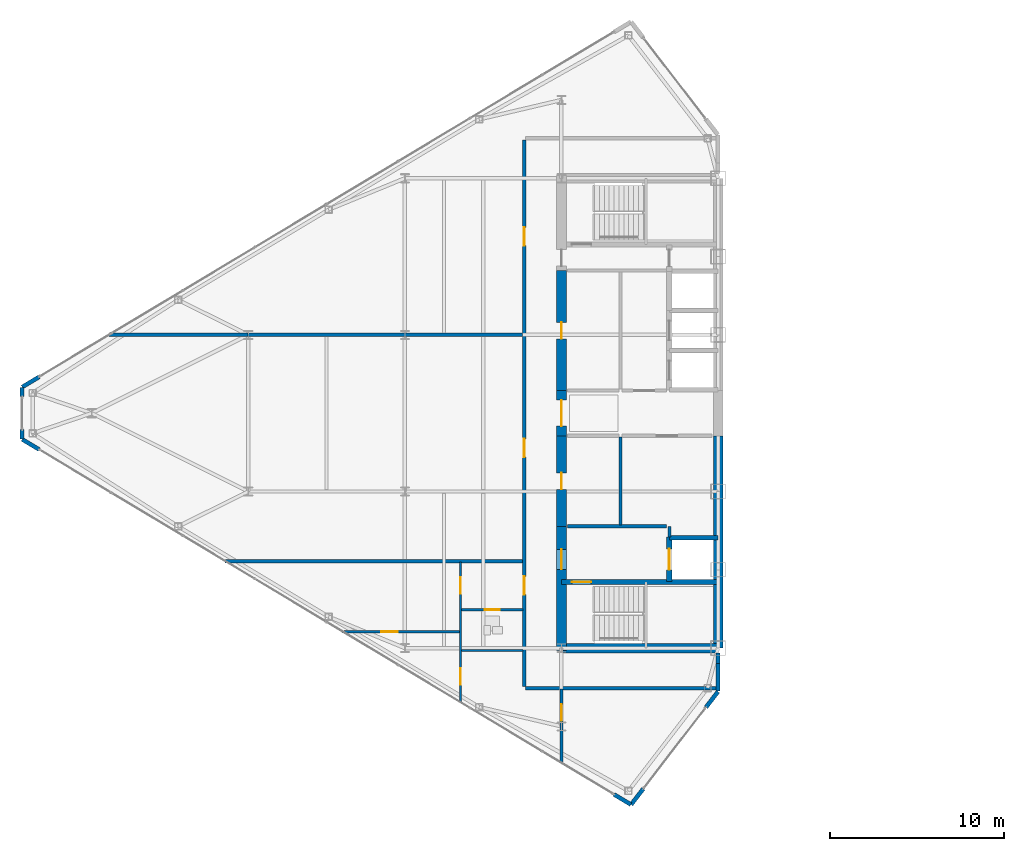
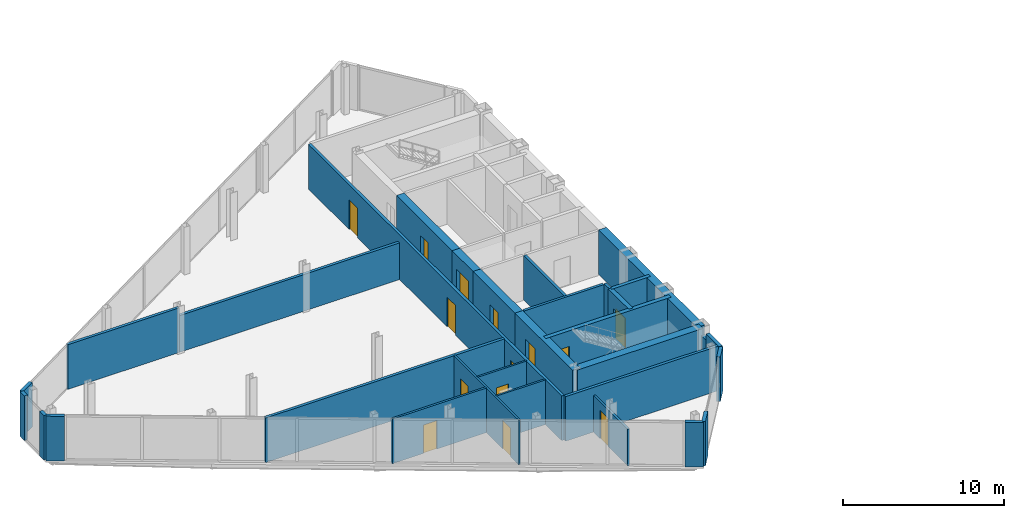
# One storey, part 19 of 25: 31 walls, 14 doors, 14 openings.
"""IFC4 building model written with IfcOpenShell, lengths in metres."""

from ifc_helpers import new_model, si_unit, direction, frame, frame_2d, origin, place, context, subcontext, project, spatial, rectangle, extrude, source, transform, mapped, material, layer, layer_set, type_object, type_shapes, element, fill, save


model = new_model("IFC4")

# Units and contexts
model_context = context("Model", 3, precision=1e-05, world=origin(), true_north=direction((0.0, 1.0)))
body_context = subcontext(model_context, "Body", "Model", "MODEL_VIEW")
ifc_project = project(units=[si_unit("LENGTHUNIT", "METRE"), si_unit("AREAUNIT", "SQUARE_METRE"), si_unit("VOLUMEUNIT", "CUBIC_METRE"), si_unit("PLANEANGLEUNIT", "RADIAN"), si_unit("MASSUNIT", "GRAM", prefix="KILO")], contexts=[model_context])

# Site, building, storey
site_placement = place(None, origin())
site = spatial("IfcSite", under=ifc_project, at=site_placement, CompositionType="ELEMENT")
building_placement = place(site_placement, origin())
building = spatial("IfcBuilding", under=site, at=building_placement, Name="Seokmaru Belvedere", CompositionType="ELEMENT")
storey_placement = place(building_placement, frame((0.0, 0.0, 203.10009765625)))
storey = spatial("IfcBuildingStorey", under=building, at=storey_placement, Name="L54", CompositionType="ELEMENT", Elevation=203.10009765625)

# Wall, opening, door
ifc_material_1 = material(Name="Fire-Rated Gypsum Shaftwall")
ifc_layer_1 = layer(ifc_material_1, 0.14990234375)
ifc_layer_set_1 = layer_set([ifc_layer_1], Name="Fire-Rated Gypsum Shaftwall")
wall_type_1 = type_object("IfcWallType", Name="Apartment Fire-Acoustic Room Partition 150", PredefinedType="PARTITIONING", material=ifc_layer_set_1)
wall_1_placement = place(storey_placement, frame((-49.10205078125, -12.56005859375, 0.0), z_axis=(0.0, 0.0, 1.0), x_axis=(1.0, 0.0, 0.0)))
wall_1 = element("IfcWall", 1, at=wall_1_placement, inside=storey, type_object=wall_type_1, Name="L54 Interior Partition 004", PredefinedType="PARTITIONING", context=body_context, shape_type="SweptSolid", body=[
    extrude(rectangle(XDim=6.751953125, YDim=0.14990234375, at=frame_2d((3.3759765625, 0.0))), origin(), (0.0, 0.0, 1.0), 3.3798828125),
])
opening_1_placement = place(wall_1_placement, frame((2.234375, 0.0, 0.0)))
opening_1 = element("IfcOpeningElement", 2, at=opening_1_placement, cuts=wall_1, Name="Opening D05", PredefinedType="OPENING", context=body_context, shape_type="SweptSolid", body=[
    extrude(rectangle(XDim=0.949951171875, YDim=2.14990234375, at=frame_2d((0.47509765625, 1.074951171875))), frame((0.0, 0.0849609375, 0.0), z_axis=(0.0, -1.0, 0.0), x_axis=(1.0, 0.0, 0.0)), (0.0, 0.0, 1.0), 0.169921875),
])
ifc_material_2 = material(Name="Engineered White Oak Timber", Category="wood")
door_type_1 = type_object("IfcDoorType", Name="Apartment Interior Fire-Rated Oak Door 950x2150", OperationType="NOTDEFINED", PredefinedType="DOOR", material=ifc_material_2)
shared_shape_1 = source(origin(), body_context, "Body", "SweptSolid", [
    extrude(rectangle(XDim=0.949951171875, YDim=2.14990234375, at=frame_2d((0.47509765625, 1.074951171875))), frame((0.0, 0.02490234375, 0.0), z_axis=(0.0, -1.0, 0.0), x_axis=(1.0, 0.0, 0.0)), (0.0, 0.0, 1.0), 0.050048828125),
])
type_shapes(door_type_1, [shared_shape_1])
door_1_placement = place(opening_1_placement, origin())
door_1 = element("IfcDoor", 3, at=door_1_placement, inside=storey, type_object=door_type_1, Name="L54 Interior Door 004", OperationType="SINGLE_SWING_RIGHT", OverallHeight=2.14990234375, OverallWidth=0.949951171875, PredefinedType="DOOR", context=body_context, shape_type="MappedRepresentation", body=[
    mapped(shared_shape_1, transform((0.0, 0.0, 0.0), scale=1.0)),
])
fill(opening_1, door_1)

wall_2_placement = place(storey_placement, frame((-36.5, -20.135009765625, 0.0), z_axis=(0.0, 0.0, 1.0), x_axis=(0.0, 1.0, 0.0)))
wall_2 = element("IfcWall", 4, at=wall_2_placement, inside=storey, type_object=wall_type_1, Name="L54 Interior Partition 018", PredefinedType="PARTITIONING", context=body_context, shape_type="SweptSolid", body=[
    extrude(rectangle(XDim=4.284912109375, YDim=0.14990234375, at=frame_2d((2.142578125, 0.0))), origin(), (0.0, 0.0, 1.0), 2.77978515625),
])
opening_2_placement = place(wall_2_placement, frame((2.45703125, 0.0, 0.0)))
opening_2 = element("IfcOpeningElement", 5, at=opening_2_placement, cuts=wall_2, Name="Opening D05", PredefinedType="OPENING", context=body_context, shape_type="SweptSolid", body=[
    extrude(rectangle(XDim=0.949951171875, YDim=2.14990234375, at=frame_2d((0.47509765625, 1.074951171875))), frame((0.0, 0.0849609375, 0.0), z_axis=(0.0, -1.0, 0.0), x_axis=(1.0, 0.0, 0.0)), (0.0, 0.0, 1.0), 0.169921875),
])
door_2_placement = place(opening_2_placement, origin())
door_2 = element("IfcDoor", 6, at=door_2_placement, inside=storey, type_object=door_type_1, Name="L54 Interior Door 006", OperationType="SINGLE_SWING_RIGHT", OverallHeight=2.14990234375, OverallWidth=0.949951171875, PredefinedType="DOOR", context=body_context, shape_type="MappedRepresentation", body=[
    mapped(shared_shape_1, transform((0.0, 0.0, 0.0), scale=1.0)),
])
fill(opening_2, door_2)

# Walls
ifc_layer_2 = layer(ifc_material_1, 0.179931640625)
ifc_layer_set_2 = layer_set([ifc_layer_2], Name="Fire-Rated Gypsum Shaftwall")
wall_type_2 = type_object("IfcWallType", Name="Core Service Fire Partition 180", PredefinedType="PARTITIONING", material=ifc_layer_set_2)
wall_3_placement = place(storey_placement, frame((-36.14990234375, -6.5, 0.0), z_axis=(0.0, 0.0, 1.0), x_axis=(1.0, 0.0, 0.0)))
element("IfcWall", 7, at=wall_3_placement, inside=storey, type_object=wall_type_2, Name="L54 West Firefighting Lobby Partition", PredefinedType="PARTITIONING", context=body_context, shape_type="SweptSolid", body=[
    extrude(rectangle(XDim=5.699951171875, YDim=0.179931640625, at=frame_2d((2.85009765625, 0.0))), origin(), (0.0, 0.0, 1.0), 3.3798828125),
])
wall_4_placement = place(storey_placement, frame((-30.300048828125, -7.1201171875, 0.0), z_axis=(0.0, 0.0, 1.0), x_axis=(0.0, 1.0, 0.0)))
element("IfcWall", 8, at=wall_4_placement, inside=storey, type_object=wall_type_2, Name="L54 West Firefighting Lobby East Closure Wall", PredefinedType="PARTITIONING", context=body_context, shape_type="SweptSolid", body=[
    extrude(rectangle(XDim=0.6201171875, YDim=0.179931640625, at=frame_2d((0.31005859375, 0.0))), origin(), (0.0, 0.0, 1.0), 3.3798828125),
])
wall_5_placement = place(storey_placement, frame((-33.10009765625, -6.419921875, 0.0), z_axis=(0.0, 0.0, 1.0), x_axis=(0.0, 1.0, 0.0)))
element("IfcWall", 9, at=wall_5_placement, inside=storey, type_object=wall_type_2, Name="L54 West South Core Service Back Wall", PredefinedType="PARTITIONING", context=body_context, shape_type="SweptSolid", body=[
    extrude(rectangle(XDim=5.0400390625, YDim=0.179931640625, at=frame_2d((2.52001953125, 0.0))), origin(), (0.0, 0.0, 1.0), 3.3798828125),
])
ifc_material_3 = material(Name="Concrete C50 (50 MPa)", Category="concrete")
ifc_layer_3 = layer(ifc_material_3, 0.25)
ifc_layer_set_3 = layer_set([ifc_layer_3], Name="Concrete C50 (50 MPa)")
wall_type_3 = type_object("IfcWallType", Name="Hoistway Transverse Concrete Divider Wall 250", PredefinedType="SHEAR", material=ifc_layer_set_3)
wall_6_placement = place(storey_placement, frame((-30.300048828125, -7.14990234375, 0.0), z_axis=(0.0, 0.0, 1.0), x_axis=(1.0, 0.0, 0.0)))
element("IfcWall", 10, at=wall_6_placement, inside=storey, type_object=wall_type_3, Name="L54 West Hoistway Divider Core Wall 1", PredefinedType="SHEAR", context=body_context, shape_type="SweptSolid", body=[
    extrude(rectangle(XDim=2.800048828125, YDim=0.25, at=frame_2d((1.39990234375, 0.0))), origin(), (0.0, 0.0, 1.0), 3.3798828125),
])
ifc_layer_4 = layer(ifc_material_1, 0.199951171875)
ifc_layer_set_4 = layer_set([ifc_layer_4], Name="Fire-Rated Gypsum Shaftwall")
wall_type_4 = type_object("IfcWallType", Name="Inter-Tenancy Fire Compartment Partition 200", PredefinedType="PARTITIONING", material=ifc_layer_set_4)
wall_7_placement = place(storey_placement, frame((-38.56494140625, -15.800048828125, 0.0), z_axis=(0.0, 0.0, 1.0), x_axis=(1.0, 0.0, 0.0)))
element("IfcWall", 11, at=wall_7_placement, inside=storey, type_object=wall_type_4, Name="L54 Interior Partition 001", PredefinedType="PARTITIONING", context=body_context, shape_type="SweptSolid", body=[
    extrude(rectangle(XDim=10.93994140625, YDim=0.199951171875, at=frame_2d((5.469970703125, 0.0))), origin(), (0.0, 0.0, 1.0), 3.3798828125),
])
wall_8_placement = place(storey_placement, frame((-55.843017578125, -8.5, 0.0), z_axis=(0.0, 0.0, 1.0), x_axis=(1.0, 0.0, 0.0)))
element("IfcWall", 12, at=wall_8_placement, inside=storey, type_object=wall_type_4, Name="L54 Interior Partition 006", PredefinedType="PARTITIONING", context=body_context, shape_type="SweptSolid", body=[
    extrude(rectangle(XDim=17.113037109375, YDim=0.199951171875, at=frame_2d((8.556640625, 0.0))), origin(), (0.0, 0.0, 1.0), 3.3798828125),
])
wall_9_placement = place(storey_placement, frame((-62.510009765625, 4.5, 0.0), z_axis=(0.0, 0.0, 1.0), x_axis=(1.0, 0.0, 0.0)))
element("IfcWall", 13, at=wall_9_placement, inside=storey, type_object=wall_type_4, Name="L54 Interior Partition 011", PredefinedType="PARTITIONING", context=body_context, shape_type="SweptSolid", body=[
    extrude(rectangle(XDim=7.989990234375, YDim=0.199951171875, at=frame_2d((3.9951171875, 0.0))), origin(), (0.0, 0.0, 1.0), 3.3798828125),
])
wall_10_placement = place(storey_placement, frame((-54.52001953125, 4.5, 0.0), z_axis=(0.0, 0.0, 1.0), x_axis=(1.0, 0.0, 0.0)))
element("IfcWall", 14, at=wall_10_placement, inside=storey, type_object=wall_type_4, Name="L54 Interior Partition 011 Part 2", PredefinedType="PARTITIONING", context=body_context, shape_type="SweptSolid", body=[
    extrude(rectangle(XDim=15.7900390625, YDim=0.199951171875, at=frame_2d((7.89501953125, 0.0))), origin(), (0.0, 0.0, 1.0), 2.77978515625),
])

# Wall, openings, doors
wall_11_placement = place(storey_placement, frame((-38.64990234375, -15.715087890625, 0.0), z_axis=(0.0, 0.0, 1.0), x_axis=(0.0, 1.0, 0.0)))
wall_11 = element("IfcWall", 15, at=wall_11_placement, inside=storey, type_object=wall_type_4, Name="L54 Interior Partition 017", PredefinedType="PARTITIONING", context=body_context, shape_type="SweptSolid", body=[
    extrude(rectangle(XDim=31.43017578125, YDim=0.199951171875, at=frame_2d((15.715087890625, 0.0))), origin(), (0.0, 0.0, 1.0), 3.3798828125),
])
opening_3_placement = place(wall_11_placement, frame((5.29248046875, 0.0, 0.0)))
opening_3 = element("IfcOpeningElement", 16, at=opening_3_placement, cuts=wall_11, Name="Opening D03", PredefinedType="OPENING", context=body_context, shape_type="SweptSolid", body=[
    extrude(rectangle(XDim=1.050048828125, YDim=2.25, at=frame_2d((0.52490234375, 1.125))), frame((0.0, 0.10986328125, 0.0), z_axis=(0.0, -1.0, 0.0), x_axis=(1.0, 0.0, 0.0)), (0.0, 0.0, 1.0), 0.219970703125),
])
opening_4_placement = place(wall_11_placement, frame((13.18994140625, 0.0, 0.0)))
opening_4 = element("IfcOpeningElement", 17, at=opening_4_placement, cuts=wall_11, Name="Opening D03", PredefinedType="OPENING", context=body_context, shape_type="SweptSolid", body=[
    extrude(rectangle(XDim=1.050048828125, YDim=2.25, at=frame_2d((0.52490234375, 1.125))), frame((0.0, 0.10986328125, 0.0), z_axis=(0.0, -1.0, 0.0), x_axis=(1.0, 0.0, 0.0)), (0.0, 0.0, 1.0), 0.219970703125),
])
opening_5_placement = place(wall_11_placement, frame((25.340087890625, 0.0, 0.0)))
opening_5 = element("IfcOpeningElement", 18, at=opening_5_placement, cuts=wall_11, Name="Opening D03", PredefinedType="OPENING", context=body_context, shape_type="SweptSolid", body=[
    extrude(rectangle(XDim=1.050048828125, YDim=2.25, at=frame_2d((0.52490234375, 1.125))), frame((0.0, 0.10986328125, 0.0), z_axis=(0.0, -1.0, 0.0), x_axis=(1.0, 0.0, 0.0)), (0.0, 0.0, 1.0), 0.219970703125),
])
ifc_material_4 = material(Name="Fire-Rated Steel Leaf", Category="steel")
door_type_2 = type_object("IfcDoorType", Name="Apartment Entrance Fire Door 1050x2250", OperationType="NOTDEFINED", PredefinedType="DOOR", material=ifc_material_4)
shared_shape_2 = source(origin(), body_context, "Body", "SweptSolid", [
    extrude(rectangle(XDim=1.050048828125, YDim=2.25, at=frame_2d((0.52490234375, 1.125))), frame((0.0, 0.02490234375, 0.0), z_axis=(0.0, -1.0, 0.0), x_axis=(1.0, 0.0, 0.0)), (0.0, 0.0, 1.0), 0.050048828125),
])
type_shapes(door_type_2, [shared_shape_2])
door_3_placement = place(opening_3_placement, origin())
door_3 = element("IfcDoor", 19, at=door_3_placement, inside=storey, type_object=door_type_2, Name="L54 Interior Door 001", OperationType="SINGLE_SWING_RIGHT", OverallHeight=2.25, OverallWidth=1.050048828125, PredefinedType="DOOR", context=body_context, shape_type="MappedRepresentation", body=[
    mapped(shared_shape_2, transform((0.0, 0.0, 0.0), scale=1.0)),
])
fill(opening_3, door_3)
door_4_placement = place(opening_4_placement, origin())
door_4 = element("IfcDoor", 20, at=door_4_placement, inside=storey, type_object=door_type_2, Name="L54 Interior Door 007", OperationType="SINGLE_SWING_LEFT", OverallHeight=2.25, OverallWidth=1.050048828125, PredefinedType="DOOR", context=body_context, shape_type="MappedRepresentation", body=[
    mapped(shared_shape_2, transform((0.0, 0.0, 0.0), scale=1.0)),
])
fill(opening_4, door_4)
door_5_placement = place(opening_5_placement, origin())
door_5 = element("IfcDoor", 21, at=door_5_placement, inside=storey, type_object=door_type_2, Name="L54 Interior Door 008", OperationType="SINGLE_SWING_RIGHT", OverallHeight=2.25, OverallWidth=1.050048828125, PredefinedType="DOOR", context=body_context, shape_type="MappedRepresentation", body=[
    mapped(shared_shape_2, transform((0.0, 0.0, 0.0), scale=1.0)),
])
fill(opening_5, door_5)

# Wall, opening, door
ifc_layer_5 = layer(ifc_material_3, 0.300048828125)
ifc_layer_set_5 = layer_set([ifc_layer_5], Name="Concrete C50 (50 MPa)")
wall_type_5 = type_object("IfcWallType", Name="Internal Core Stair and Hoistway Wall 300", PredefinedType="SHEAR", material=ifc_layer_set_5)
wall_12_placement = place(storey_placement, frame((-36.5, -9.699951171875, 0.0), z_axis=(0.0, 0.0, 1.0), x_axis=(1.0, 0.0, 0.0)))
wall_12 = element("IfcWall", 22, at=wall_12_placement, inside=storey, type_object=wall_type_5, Name="L54 West Stair ST-1 Enclosure Wall", PredefinedType="SHEAR", context=body_context, shape_type="SweptSolid", body=[
    extrude(rectangle(XDim=9.0, YDim=0.300048828125, at=frame_2d((4.5, 0.0))), origin(), (0.0, 0.0, 1.0), 3.3798828125),
])
opening_6_placement = place(wall_12_placement, frame((0.60009765625, 0.0, 0.0)))
opening_6 = element("IfcOpeningElement", 23, at=opening_6_placement, cuts=wall_12, Name="Opening D01", PredefinedType="OPENING", context=body_context, shape_type="SweptSolid", body=[
    extrude(rectangle(XDim=1.10009765625, YDim=2.199951171875, at=frame_2d((0.550048828125, 1.10009765625))), frame((0.0, 0.16015625, 0.0), z_axis=(0.0, -1.0, 0.0), x_axis=(1.0, 0.0, 0.0)), (0.0, 0.0, 1.0), 0.320068359375),
])
door_type_3 = type_object("IfcDoorType", Name="Special Escape Stair Smokeproof Fire Door 1100x2200", OperationType="NOTDEFINED", PredefinedType="DOOR", material=ifc_material_4)
shared_shape_3 = source(origin(), body_context, "Body", "SweptSolid", [
    extrude(rectangle(XDim=1.10009765625, YDim=2.199951171875, at=frame_2d((0.550048828125, 1.10009765625))), frame((0.0, 0.02490234375, 0.0), z_axis=(0.0, -1.0, 0.0), x_axis=(1.0, 0.0, 0.0)), (0.0, 0.0, 1.0), 0.050048828125),
])
type_shapes(door_type_3, [shared_shape_3])
door_6_placement = place(opening_6_placement, frame((1.10009765625, 0.0, 0.0), z_axis=(0.0, 0.0, 1.0), x_axis=(-1.0, 0.0, 0.0)))
door_6 = element("IfcDoor", 24, at=door_6_placement, inside=storey, type_object=door_type_3, Name="L54 West Special Escape Stair ST-1 Door", OperationType="SINGLE_SWING_LEFT", OverallHeight=2.199951171875, OverallWidth=1.10009765625, PredefinedType="DOOR", context=body_context, shape_type="MappedRepresentation", body=[
    mapped(shared_shape_3, transform((0.0, 0.0, 0.0), scale=1.0)),
])
fill(opening_6, door_6)

wall_13_placement = place(storey_placement, frame((-30.300048828125, -9.679931640625, 0.0), z_axis=(0.0, 0.0, 1.0), x_axis=(0.0, 1.0, 0.0)))
wall_13 = element("IfcWall", 25, at=wall_13_placement, inside=storey, type_object=wall_type_5, Name="L54 West Firefighting Lift Shaft Front Wall", PredefinedType="SHEAR", context=body_context, shape_type="SweptSolid", body=[
    extrude(rectangle(XDim=2.559814453125, YDim=0.300048828125, at=frame_2d((1.27978515625, 0.0))), origin(), (0.0, 0.0, 1.0), 3.3798828125),
])
opening_7_placement = place(wall_13_placement, frame((0.679931640625, 0.0, 0.0)))
opening_7 = element("IfcOpeningElement", 26, at=opening_7_placement, cuts=wall_13, Name="Opening LD2", PredefinedType="OPENING", context=body_context, shape_type="SweptSolid", body=[
    extrude(rectangle(XDim=1.199951171875, YDim=2.25, at=frame_2d((0.60009765625, 1.125))), frame((0.0, 0.16015625, 0.0), z_axis=(0.0, -1.0, 0.0), x_axis=(1.0, 0.0, 0.0)), (0.0, 0.0, 1.0), 0.320068359375),
])
ifc_material_5 = material(Name="Stainless Steel 316", Category="steel")
door_type_4 = type_object("IfcDoorType", Name="Firefighting Lift Sliding Landing Door 1200x2250", OperationType="DOUBLE_DOOR_SLIDING", PredefinedType="DOOR", material=ifc_material_5)
shared_shape_4 = source(origin(), body_context, "Body", "SweptSolid", [
    extrude(rectangle(XDim=1.199951171875, YDim=2.25, at=frame_2d((0.60009765625, 1.125))), frame((0.0, 0.02490234375, 0.0), z_axis=(0.0, -1.0, 0.0), x_axis=(1.0, 0.0, 0.0)), (0.0, 0.0, 1.0), 0.050048828125),
])
type_shapes(door_type_4, [shared_shape_4])
door_7_placement = place(opening_7_placement, origin())
door_7 = element("IfcDoor", 27, at=door_7_placement, inside=storey, type_object=door_type_4, Name="L54 West Firefighting Lift Landing Door", OperationType="DOUBLE_DOOR_SLIDING", OverallHeight=2.25, OverallWidth=1.199951171875, PredefinedType="DOOR", context=body_context, shape_type="MappedRepresentation", body=[
    mapped(shared_shape_4, transform((0.0, 0.0, 0.0), scale=1.0)),
])
fill(opening_7, door_7)

# Walls
ifc_layer_6 = layer(ifc_material_3, 0.550048828125)
ifc_layer_set_6 = layer_set([ifc_layer_6], Name="Concrete C50 (50 MPa)")
wall_type_6 = type_object("IfcWallType", Name="Mid-High Reinforced Concrete Core Wall 550", PredefinedType="SHEAR", material=ifc_layer_set_6)
wall_14_placement = place(storey_placement, frame((-27.5, -13.5, 0.0), z_axis=(0.0, 0.0, 1.0), x_axis=(0.0, 1.0, 0.0)))
element("IfcWall", 28, at=wall_14_placement, inside=storey, type_object=wall_type_6, Name="L54 West Portal Spine Core Wall South", PredefinedType="SHEAR", context=body_context, shape_type="SweptSolid", body=[
    extrude(rectangle(XDim=12.199951171875, YDim=0.550048828125, at=frame_2d((6.10009765625, 0.0))), origin(), (0.0, 0.0, 1.0), 3.3798828125),
])
wall_15_placement = place(storey_placement, frame((-36.5, -13.5, 0.0), z_axis=(0.0, 0.0, 1.0), x_axis=(1.0, 0.0, 0.0)))
element("IfcWall", 29, at=wall_15_placement, inside=storey, type_object=wall_type_6, Name="L54 West South Core Wall", PredefinedType="SHEAR", context=body_context, shape_type="SweptSolid", body=[
    extrude(rectangle(XDim=9.0, YDim=0.550048828125, at=frame_2d((4.5, 0.0))), origin(), (0.0, 0.0, 1.0), 3.3798828125),
])

# Wall, opening, door
wall_16_placement = place(storey_placement, frame((-36.5, -13.64990234375, 0.0), z_axis=(0.0, 0.0, 1.0), x_axis=(0.0, 1.0, 0.0)))
wall_16 = element("IfcWall", 30, at=wall_16_placement, inside=storey, type_object=wall_type_6, Name="L54 West West Core Wall FF", PredefinedType="SHEAR", context=body_context, shape_type="SweptSolid", body=[
    extrude(rectangle(XDim=7.14990234375, YDim=0.550048828125, at=frame_2d((3.574951171875, 0.0))), origin(), (0.0, 0.0, 1.0), 3.3798828125),
])
opening_8_placement = place(wall_16_placement, frame((4.675048828125, 0.0, 0.0)))
opening_8 = element("IfcOpeningElement", 31, at=opening_8_placement, cuts=wall_16, Name="Opening D02", PredefinedType="OPENING", context=body_context, shape_type="SweptSolid", body=[
    extrude(rectangle(XDim=1.14990234375, YDim=2.199951171875, at=frame_2d((0.574951171875, 1.10009765625))), frame((0.0, 0.28515625, 0.0), z_axis=(0.0, -1.0, 0.0), x_axis=(1.0, 0.0, 0.0)), (0.0, 0.0, 1.0), 0.570068359375),
])
door_type_5 = type_object("IfcDoorType", Name="Lobby and Vestibule Fire Door 1150x2200", OperationType="NOTDEFINED", PredefinedType="DOOR", material=ifc_material_4)
shared_shape_5 = source(origin(), body_context, "Body", "SweptSolid", [
    extrude(rectangle(XDim=1.14990234375, YDim=2.199951171875, at=frame_2d((0.574951171875, 1.10009765625))), frame((0.0, 0.02490234375, 0.0), z_axis=(0.0, -1.0, 0.0), x_axis=(1.0, 0.0, 0.0)), (0.0, 0.0, 1.0), 0.050048828125),
])
type_shapes(door_type_5, [shared_shape_5])
door_8_placement = place(opening_8_placement, frame((1.14990234375, 0.0, 0.0), z_axis=(0.0, 0.0, 1.0), x_axis=(-1.0, 0.0, 0.0)))
door_8 = element("IfcDoor", 32, at=door_8_placement, inside=storey, type_object=door_type_5, Name="L54 West Firefighting Lobby Door", OperationType="SINGLE_SWING_LEFT", OverallHeight=2.199951171875, OverallWidth=1.14990234375, PredefinedType="DOOR", context=body_context, shape_type="MappedRepresentation", body=[
    mapped(shared_shape_5, transform((0.0, 0.0, 0.0), scale=1.0)),
])
fill(opening_8, door_8)

wall_17_placement = place(storey_placement, frame((-36.5, -1.300048828125, 0.0), z_axis=(0.0, 0.0, 1.0), x_axis=(0.0, 1.0, 0.0)))
wall_17 = element("IfcWall", 33, at=wall_17_placement, inside=storey, type_object=wall_type_6, Name="L54 West West Core Wall FOY", PredefinedType="SHEAR", context=body_context, shape_type="SweptSolid", body=[
    extrude(rectangle(XDim=2.60009765625, YDim=0.550048828125, at=frame_2d((1.300048828125, 0.0))), origin(), (0.0, 0.0, 1.0), 3.3798828125),
])
opening_9_placement = place(wall_17_placement, frame((0.550048828125, 0.0, 0.0)))
opening_9 = element("IfcOpeningElement", 34, at=opening_9_placement, cuts=wall_17, Name="Opening D08", PredefinedType="OPENING", context=body_context, shape_type="SweptSolid", body=[
    extrude(rectangle(XDim=1.5, YDim=2.300048828125, at=frame_2d((0.75, 1.14990234375))), frame((0.0, 0.28515625, 0.0), z_axis=(0.0, -1.0, 0.0), x_axis=(1.0, 0.0, 0.0)), (0.0, 0.0, 1.0), 0.570068359375),
])
door_type_6 = type_object("IfcDoorType", Name="Cross-Corridor Compartment Double Fire Door 1500x2300", OperationType="DOUBLE_SWING_LEFT", PredefinedType="DOOR", material=ifc_material_4)
shared_shape_6 = source(origin(), body_context, "Body", "SweptSolid", [
    extrude(rectangle(XDim=1.5, YDim=2.300048828125, at=frame_2d((0.75, 1.14990234375))), frame((0.0, 0.02490234375, 0.0), z_axis=(0.0, -1.0, 0.0), x_axis=(1.0, 0.0, 0.0)), (0.0, 0.0, 1.0), 0.050048828125),
])
type_shapes(door_type_6, [shared_shape_6])
door_9_placement = place(opening_9_placement, origin())
door_9 = element("IfcDoor", 35, at=door_9_placement, inside=storey, type_object=door_type_6, Name="L54 West Core Foyer Compartment Door", OperationType="DOUBLE_SWING_LEFT", OverallHeight=2.300048828125, OverallWidth=1.5, PredefinedType="DOOR", context=body_context, shape_type="MappedRepresentation", body=[
    mapped(shared_shape_6, transform((0.0, 0.0, 0.0), scale=1.0)),
])
fill(opening_9, door_9)

wall_18_placement = place(storey_placement, frame((-36.5, -6.5, 0.0), z_axis=(0.0, 0.0, 1.0), x_axis=(0.0, 1.0, 0.0)))
wall_18 = element("IfcWall", 36, at=wall_18_placement, inside=storey, type_object=wall_type_6, Name="L54 West West Core Wall CS1", PredefinedType="SHEAR", context=body_context, shape_type="SweptSolid", body=[
    extrude(rectangle(XDim=5.199951171875, YDim=0.550048828125, at=frame_2d((2.60009765625, 0.0))), origin(), (0.0, 0.0, 1.0), 3.3798828125),
])
opening_10_placement = place(wall_18_placement, frame((2.125, 0.0, 0.0)))
opening_10 = element("IfcOpeningElement", 37, at=opening_10_placement, cuts=wall_18, Name="Opening D04", PredefinedType="OPENING", context=body_context, shape_type="SweptSolid", body=[
    extrude(rectangle(XDim=0.949951171875, YDim=2.14990234375, at=frame_2d((0.47509765625, 1.074951171875))), frame((0.0, 0.28515625, 0.0), z_axis=(0.0, -1.0, 0.0), x_axis=(1.0, 0.0, 0.0)), (0.0, 0.0, 1.0), 0.570068359375),
])
door_type_7 = type_object("IfcDoorType", Name="Core Service Room Fire Door 950x2150", OperationType="NOTDEFINED", PredefinedType="DOOR", material=ifc_material_4)
shared_shape_7 = source(origin(), body_context, "Body", "SweptSolid", [
    extrude(rectangle(XDim=0.949951171875, YDim=2.14990234375, at=frame_2d((0.47509765625, 1.074951171875))), frame((0.0, 0.02490234375, 0.0), z_axis=(0.0, -1.0, 0.0), x_axis=(1.0, 0.0, 0.0)), (0.0, 0.0, 1.0), 0.050048828125),
])
type_shapes(door_type_7, [shared_shape_7])
door_10_placement = place(opening_10_placement, origin())
door_10 = element("IfcDoor", 38, at=door_10_placement, inside=storey, type_object=door_type_7, Name="L54 West Core Service Room Door 1", OperationType="SINGLE_SWING_LEFT", OverallHeight=2.14990234375, OverallWidth=0.949951171875, PredefinedType="DOOR", context=body_context, shape_type="MappedRepresentation", body=[
    mapped(shared_shape_7, transform((0.0, 0.0, 0.0), scale=1.0)),
])
fill(opening_10, door_10)

wall_19_placement = place(storey_placement, frame((-36.5, 1.300048828125, 0.0), z_axis=(0.0, 0.0, 1.0), x_axis=(0.0, 1.0, 0.0)))
wall_19 = element("IfcWall", 39, at=wall_19_placement, inside=storey, type_object=wall_type_6, Name="L54 West West Core Wall CS2", PredefinedType="SHEAR", context=body_context, shape_type="SweptSolid", body=[
    extrude(rectangle(XDim=6.89990234375, YDim=0.550048828125, at=frame_2d((3.449951171875, 0.0))), origin(), (0.0, 0.0, 1.0), 3.3798828125),
])
opening_11_placement = place(wall_19_placement, frame((2.97509765625, 0.0, 0.0)))
opening_11 = element("IfcOpeningElement", 40, at=opening_11_placement, cuts=wall_19, Name="Opening D04", PredefinedType="OPENING", context=body_context, shape_type="SweptSolid", body=[
    extrude(rectangle(XDim=0.949951171875, YDim=2.14990234375, at=frame_2d((0.47509765625, 1.074951171875))), frame((0.0, 0.28515625, 0.0), z_axis=(0.0, -1.0, 0.0), x_axis=(1.0, 0.0, 0.0)), (0.0, 0.0, 1.0), 0.570068359375),
])
door_11_placement = place(opening_11_placement, origin())
door_11 = element("IfcDoor", 41, at=door_11_placement, inside=storey, type_object=door_type_7, Name="L54 West Core Service Room Door 2", OperationType="SINGLE_SWING_RIGHT", OverallHeight=2.14990234375, OverallWidth=0.949951171875, PredefinedType="DOOR", context=body_context, shape_type="MappedRepresentation", body=[
    mapped(shared_shape_7, transform((0.0, 0.0, 0.0), scale=1.0)),
])
fill(opening_11, door_11)

# Wall
ifc_layer_7 = layer(ifc_material_1, 0.1298828125)
ifc_layer_set_7 = layer_set([ifc_layer_7], Name="Fire-Rated Gypsum Shaftwall")
wall_type_7 = type_object("IfcWallType", Name="Moisture-Resistant Fire-Rated Bathroom Partition 130", PredefinedType="PARTITIONING", material=ifc_layer_set_7)
wall_20_placement = place(storey_placement, frame((-42.25, -13.639892578125, 0.0), z_axis=(0.0, 0.0, 1.0), x_axis=(1.0, 0.0, 0.0)))
element("IfcWall", 42, at=wall_20_placement, inside=storey, type_object=wall_type_7, Name="L54 Interior Partition 003", PredefinedType="PARTITIONING", context=body_context, shape_type="SweptSolid", body=[
    extrude(rectangle(XDim=3.550048828125, YDim=0.1298828125, at=frame_2d((1.77490234375, 0.0))), origin(), (0.0, 0.0, 1.0), 3.3798828125),
])

# Wall, opening, door
wall_21_placement = place(storey_placement, frame((-42.25, -11.2900390625, 0.0), z_axis=(0.0, 0.0, 1.0), x_axis=(1.0, 0.0, 0.0)))
wall_21 = element("IfcWall", 43, at=wall_21_placement, inside=storey, type_object=wall_type_7, Name="L54 Interior Partition 005", PredefinedType="PARTITIONING", context=body_context, shape_type="SweptSolid", body=[
    extrude(rectangle(XDim=3.550048828125, YDim=0.1298828125, at=frame_2d((1.77490234375, 0.0))), origin(), (0.0, 0.0, 1.0), 3.3798828125),
])
opening_12_placement = place(wall_21_placement, frame((1.3349609375, 0.0, 0.0)))
opening_12 = element("IfcOpeningElement", 44, at=opening_12_placement, cuts=wall_21, Name="Opening D06", PredefinedType="OPENING", context=body_context, shape_type="SweptSolid", body=[
    extrude(rectangle(XDim=0.8798828125, YDim=2.10009765625, at=frame_2d((0.43994140625, 1.050048828125))), frame((0.0, 0.074951171875, 0.0), z_axis=(0.0, -1.0, 0.0), x_axis=(1.0, 0.0, 0.0)), (0.0, 0.0, 1.0), 0.14990234375),
])
door_type_8 = type_object("IfcDoorType", Name="Bathroom and Restroom Fire-Rated Door 880x2100", OperationType="NOTDEFINED", PredefinedType="DOOR", material=ifc_material_2)
shared_shape_8 = source(origin(), body_context, "Body", "SweptSolid", [
    extrude(rectangle(XDim=0.8798828125, YDim=2.10009765625, at=frame_2d((0.43994140625, 1.050048828125))), frame((0.0, 0.02490234375, 0.0), z_axis=(0.0, -1.0, 0.0), x_axis=(1.0, 0.0, 0.0)), (0.0, 0.0, 1.0), 0.050048828125),
])
type_shapes(door_type_8, [shared_shape_8])
door_12_placement = place(opening_12_placement, origin())
door_12 = element("IfcDoor", 45, at=door_12_placement, inside=storey, type_object=door_type_8, Name="L54 Interior Door 002", OperationType="SINGLE_SWING_LEFT", OverallHeight=2.10009765625, OverallWidth=0.8798828125, PredefinedType="DOOR", context=body_context, shape_type="MappedRepresentation", body=[
    mapped(shared_shape_8, transform((0.0, 0.0, 0.0), scale=1.0)),
])
fill(opening_12, door_12)

# Wall, openings, doors
wall_22_placement = place(storey_placement, frame((-42.300048828125, -16.655029296875, 0.0), z_axis=(0.0, 0.0, 1.0), x_axis=(0.0, 1.0, 0.0)))
wall_22 = element("IfcWall", 46, at=wall_22_placement, inside=storey, type_object=wall_type_7, Name="L54 Interior Partition 016", PredefinedType="PARTITIONING", context=body_context, shape_type="SweptSolid", body=[
    extrude(rectangle(XDim=8.10498046875, YDim=0.1298828125, at=frame_2d((4.052490234375, 0.0))), origin(), (0.0, 0.0, 1.0), 3.3798828125),
])
opening_13_placement = place(wall_22_placement, frame((6.282470703125, 0.0, 0.0)))
opening_13 = element("IfcOpeningElement", 47, at=opening_13_placement, cuts=wall_22, Name="Opening D05", PredefinedType="OPENING", context=body_context, shape_type="SweptSolid", body=[
    extrude(rectangle(XDim=0.949951171875, YDim=2.14990234375, at=frame_2d((0.47509765625, 1.074951171875))), frame((0.0, 0.074951171875, 0.0), z_axis=(0.0, -1.0, 0.0), x_axis=(1.0, 0.0, 0.0)), (0.0, 0.0, 1.0), 0.14990234375),
])
opening_14_placement = place(wall_22_placement, frame((1.047607421875, 0.0, 0.0)))
opening_14 = element("IfcOpeningElement", 48, at=opening_14_placement, cuts=wall_22, Name="Opening D05", PredefinedType="OPENING", context=body_context, shape_type="SweptSolid", body=[
    extrude(rectangle(XDim=0.949951171875, YDim=2.14990234375, at=frame_2d((0.47509765625, 1.074951171875))), frame((0.0, 0.074951171875, 0.0), z_axis=(0.0, -1.0, 0.0), x_axis=(1.0, 0.0, 0.0)), (0.0, 0.0, 1.0), 0.14990234375),
])
door_13_placement = place(opening_13_placement, origin())
door_13 = element("IfcDoor", 49, at=door_13_placement, inside=storey, type_object=door_type_1, Name="L54 Interior Door 003", OperationType="SINGLE_SWING_RIGHT", OverallHeight=2.14990234375, OverallWidth=0.949951171875, PredefinedType="DOOR", context=body_context, shape_type="MappedRepresentation", body=[
    mapped(shared_shape_1, transform((0.0, 0.0, 0.0), scale=1.0)),
])
fill(opening_13, door_13)
door_14_placement = place(opening_14_placement, origin())
door_14 = element("IfcDoor", 50, at=door_14_placement, inside=storey, type_object=door_type_1, Name="L54 Interior Door 005", OperationType="SINGLE_SWING_LEFT", OverallHeight=2.14990234375, OverallWidth=0.949951171875, PredefinedType="DOOR", context=body_context, shape_type="MappedRepresentation", body=[
    mapped(shared_shape_1, transform((0.0, 0.0, 0.0), scale=1.0)),
])
fill(opening_14, door_14)

# Walls
ifc_material_6 = material(Name="Anodised Bronze Aluminium", Category="aluminium")
ifc_layer_8 = layer(ifc_material_6, 0.239990234375)
ifc_layer_set_8 = layer_set([ifc_layer_8], Name="Anodised Bronze Aluminium")
wall_type_8 = type_object("IfcWallType", Name="Tower Corner Spandrel Closure Wall 240", PredefinedType="SOLIDWALL", material=ifc_layer_set_8)
wall_23_placement = place(storey_placement, frame((-27.5, -15.97998046875, 0.0), z_axis=(0.0, 0.0, 1.0), x_axis=(0.0, 1.0, 0.0)))
element("IfcWall", 51, at=wall_23_placement, inside=storey, type_object=wall_type_8, Name="L54 W Shoulder Closure Wall 1", PredefinedType="SOLIDWALL", context=body_context, shape_type="SweptSolid", body=[
    extrude(rectangle(XDim=1.60009765625, YDim=0.239990234375, at=frame_2d((0.800048828125, 0.0))), origin(), (0.0, 0.0, 1.0), 3.3798828125),
])
wall_24_placement = place(storey_placement, frame((-27.5, -14.3798828125, 0.0), z_axis=(0.0, 0.0, 1.0), x_axis=(0.0, 1.0, 0.0)))
element("IfcWall", 52, at=wall_24_placement, inside=storey, type_object=wall_type_8, Name="L54 W Shoulder Closure Wall 1 Part 2", PredefinedType="SOLIDWALL", context=body_context, shape_type="SweptSolid", body=[
    extrude(rectangle(XDim=0.599853515625, YDim=0.239990234375, at=frame_2d((0.2998046875, 0.0))), origin(), (0.0, 0.0, 1.0), 2.8798828125),
])
wall_25_placement = place(storey_placement, frame((-66.513916015625, 2.091796875, 0.0), z_axis=(0.0, 0.0, 1.0), x_axis=(-0.85743623509, -0.514590228002, 0.0)))
element("IfcWall", 53, at=wall_25_placement, inside=storey, type_object=wall_type_8, Name="L54 W Corner Closure Pier 3B", PredefinedType="SOLIDWALL", context=body_context, shape_type="SweptSolid", body=[
    extrude(rectangle(XDim=1.14013671875, YDim=0.239990234375, at=frame_2d((0.570068359375, 0.0))), origin(), (0.0, 0.0, 1.0), 3.3798828125),
])
for number, where, z_axis, x_axis, name in (
    (54, (-67.5, 1.489990234375, 0.0), (0.0, 0.0, 1.0), (0.0, -1.0, 0.0), "L54 W Apex Closure Pier 4A"),
    (55, (-67.5, -0.949951171875, 0.0), (0.0, 0.0, 1.0), (0.0, -1.0, 0.0), "L54 W Apex Closure Pier 4B"),
):
    element("IfcWall", number, at=place(storey_placement, frame(where, z_axis=z_axis, x_axis=x_axis)), inside=storey, type_object=wall_type_8, Name=name, PredefinedType="SOLIDWALL", context=body_context, shape_type="SweptSolid", body=[
        extrude(rectangle(XDim=0.5400390625, YDim=0.239990234375, at=frame_2d((0.27001953125, 0.0))), origin(), (0.0, 0.0, 1.0), 3.3798828125),
    ])
for number, where, z_axis, x_axis, name in (
    (56, (-67.491455078125, -1.505126953125, 0.0), (0.0, 0.0, 1.0), (0.85743623509, -0.514590228002, 0.0), "L54 W Corner Closure Pier 5A"),
    (57, (-33.486083984375, -21.908203125, 0.0), (0.0, 0.0, 1.0), (0.85743623509, -0.514590228002, 0.0), "L54 W Corner Closure Pier 5B"),
    (58, (-32.493896484375, -22.4921875, 0.0), (0.0, 0.0, 1.0), (0.609617623633, 0.792695624408, 0.0), "L54 W Corner Closure Pier 6A"),
    (59, (-28.201171875, -16.91162109375, 0.0), (0.0, 0.0, 1.0), (0.609617623633, 0.792695624408, 0.0), "L54 W Corner Closure Pier 6B"),
):
    element("IfcWall", number, at=place(storey_placement, frame(where, z_axis=z_axis, x_axis=x_axis)), inside=storey, type_object=wall_type_8, Name=name, PredefinedType="SOLIDWALL", context=body_context, shape_type="SweptSolid", body=[
        extrude(rectangle(XDim=1.14013671875, YDim=0.239990234375, at=frame_2d((0.570068359375, 0.0))), origin(), (0.0, 0.0, 1.0), 3.3798828125),
    ])

save(model, "model.ifc")
